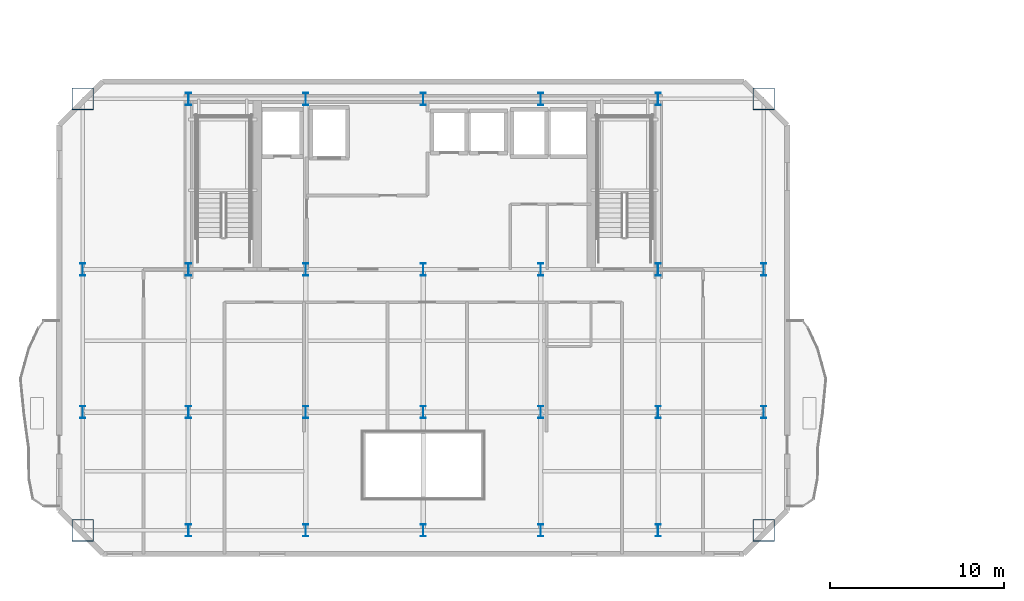
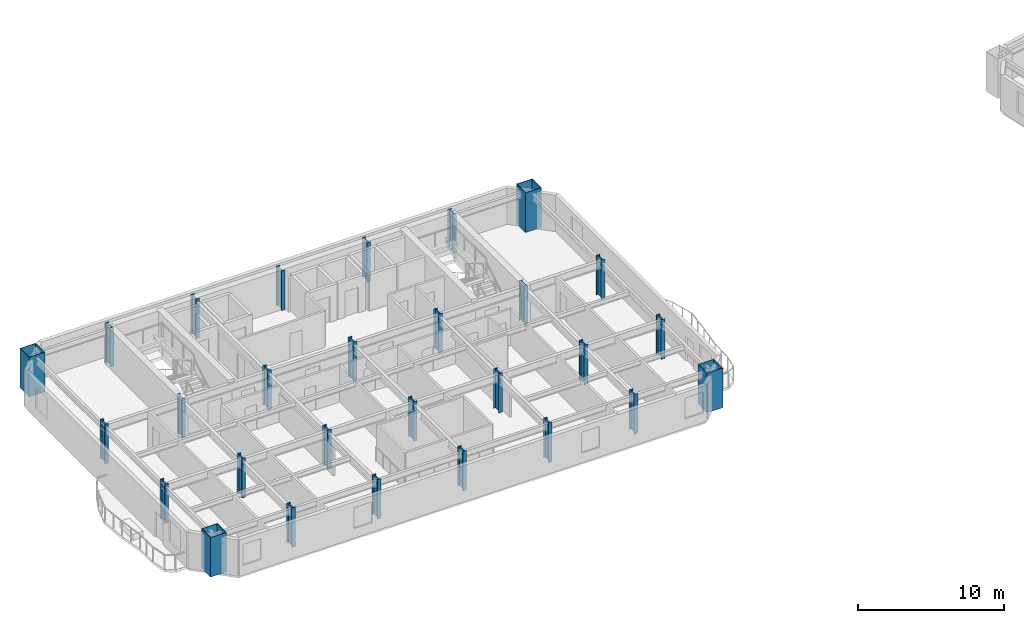
# One storey, part 1 of 13: 28 columns.
"""IFC4 building model written with IfcOpenShell, lengths in metres."""

from ifc_helpers import new_model, si_unit, direction, frame, origin, origin_2d, place, context, subcontext, project, spatial, hollow_rectangle, i_section, extrude, material, material_profile, profile_set, type_object, element, save


model = new_model("IFC4")

# Units and contexts
model_context = context("Model", 3, precision=1e-05, world=origin(), true_north=direction((0.0, 1.0)))
body_context = subcontext(model_context, "Body", "Model", "MODEL_VIEW")
ifc_project = project(units=[si_unit("LENGTHUNIT", "METRE"), si_unit("AREAUNIT", "SQUARE_METRE"), si_unit("VOLUMEUNIT", "CUBIC_METRE"), si_unit("PLANEANGLEUNIT", "RADIAN"), si_unit("MASSUNIT", "GRAM", prefix="KILO")], contexts=[model_context])

# Site, building, storey
site_placement = place(None, origin())
site = spatial("IfcSite", under=ifc_project, at=site_placement, CompositionType="ELEMENT")
building_placement = place(site_placement, origin())
building = spatial("IfcBuilding", under=site, at=building_placement, Name="Haevon Station Towers", CompositionType="ELEMENT")
storey_placement = place(building_placement, frame((0.0, 0.0, 162.60009765625)))
storey = spatial("IfcBuildingStorey", under=building, at=storey_placement, Name="L44", CompositionType="ELEMENT", Elevation=162.60009765625)

# Columns
ifc_material_1 = material(Name="Steel S460", Category="steel")
ifc_material_profile_1 = material_profile(ifc_material_1, hollow_rectangle(XDim=1.25, YDim=1.25, WallThickness=0.034912109375, at=origin_2d()), Name="BOX-1250x1250x35")
ifc_profile_set_1 = profile_set([ifc_material_profile_1], Name="Steel S460")
column_type_1 = type_object("IfcColumnType", Name="COL-MC4", PredefinedType="COLUMN", material=ifc_profile_set_1)
for number, where, z_axis, x_axis, name in (
    (1, (17.925048828125, 23.199951171875, 0.0), (0.0, 0.0, 1.0), (1.0, 0.0, 0.0), "COL-T1-L44-01-01"),
    (2, (17.925048828125, 48.0, 0.0), (0.0, 0.0, 1.0), (1.0, 0.0, 0.0), "COL-T1-L44-01-04"),
    (3, (57.074951171875, 23.199951171875, 0.0), (0.0, 0.0, 1.0), (1.0, 0.0, 0.0), "COL-T1-L44-07-01"),
    (4, (57.074951171875, 48.0, 0.0), (0.0, 0.0, 1.0), (1.0, 0.0, 0.0), "COL-T1-L44-07-04"),
):
    element("IfcColumn", number, at=place(storey_placement, frame(where, z_axis=z_axis, x_axis=x_axis)), inside=storey, type_object=column_type_1, Name=name, PredefinedType="COLUMN", context=body_context, shape_type="SweptSolid", body=[
        extrude(hollow_rectangle(XDim=1.25, YDim=1.25, WallThickness=0.034912109375, at=origin_2d()), origin(), (0.0, 0.0, 1.0), 3.2998046875),
    ])
ifc_material_2 = material(Name="Steel S355", Category="steel")
ifc_material_profile_2 = material_profile(ifc_material_2, i_section(OverallWidth=0.300048828125, OverallDepth=0.699951171875, WebThickness=0.01611328125, FlangeThickness=0.028076171875, at=origin_2d()), Name="H-700x300x16x28")
ifc_profile_set_2 = profile_set([ifc_material_profile_2], Name="Steel S355")
column_type_2 = type_object("IfcColumnType", Name="COL-TW3", PredefinedType="COLUMN", material=ifc_profile_set_2)
for number, where, z_axis, x_axis, name in (
    (5, (17.925048828125, 30.0, 0.0), (0.0, 0.0, 1.0), (1.0, 0.0, 0.0), "COL-T1-L44-01-02"),
    (6, (17.925048828125, 38.199951171875, 0.0), (0.0, 0.0, 1.0), (1.0, 0.0, 0.0), "COL-T1-L44-01-03"),
    (7, (24.0, 23.199951171875, 0.0), (0.0, 0.0, 1.0), (1.0, 0.0, 0.0), "COL-T1-L44-02-01"),
    (8, (24.0, 30.0, 0.0), (0.0, 0.0, 1.0), (1.0, 0.0, 0.0), "COL-T1-L44-02-02"),
    (9, (24.0, 38.199951171875, 0.0), (0.0, 0.0, 1.0), (1.0, 0.0, 0.0), "COL-T1-L44-02-03"),
    (10, (24.0, 48.0, 0.0), (0.0, 0.0, 1.0), (1.0, 0.0, 0.0), "COL-T1-L44-02-04"),
    (11, (30.75, 23.199951171875, 0.0), (0.0, 0.0, 1.0), (1.0, 0.0, 0.0), "COL-T1-L44-03-01"),
    (12, (30.75, 30.0, 0.0), (0.0, 0.0, 1.0), (1.0, 0.0, 0.0), "COL-T1-L44-03-02"),
    (13, (30.75, 38.199951171875, 0.0), (0.0, 0.0, 1.0), (1.0, 0.0, 0.0), "COL-T1-L44-03-03"),
    (14, (30.75, 48.0, 0.0), (0.0, 0.0, 1.0), (1.0, 0.0, 0.0), "COL-T1-L44-03-04"),
    (15, (37.5, 23.199951171875, 0.0), (0.0, 0.0, 1.0), (1.0, 0.0, 0.0), "COL-T1-L44-04-01"),
    (16, (37.5, 30.0, 0.0), (0.0, 0.0, 1.0), (1.0, 0.0, 0.0), "COL-T1-L44-04-02"),
    (17, (37.5, 38.199951171875, 0.0), (0.0, 0.0, 1.0), (1.0, 0.0, 0.0), "COL-T1-L44-04-03"),
    (18, (37.5, 48.0, 0.0), (0.0, 0.0, 1.0), (1.0, 0.0, 0.0), "COL-T1-L44-04-04"),
    (19, (44.25, 23.199951171875, 0.0), (0.0, 0.0, 1.0), (1.0, 0.0, 0.0), "COL-T1-L44-05-01"),
    (20, (44.25, 30.0, 0.0), (0.0, 0.0, 1.0), (1.0, 0.0, 0.0), "COL-T1-L44-05-02"),
    (21, (44.25, 38.199951171875, 0.0), (0.0, 0.0, 1.0), (1.0, 0.0, 0.0), "COL-T1-L44-05-03"),
    (22, (44.25, 48.0, 0.0), (0.0, 0.0, 1.0), (1.0, 0.0, 0.0), "COL-T1-L44-05-04"),
    (23, (51.0, 23.199951171875, 0.0), (0.0, 0.0, 1.0), (1.0, 0.0, 0.0), "COL-T1-L44-06-01"),
    (24, (51.0, 30.0, 0.0), (0.0, 0.0, 1.0), (1.0, 0.0, 0.0), "COL-T1-L44-06-02"),
    (25, (51.0, 38.199951171875, 0.0), (0.0, 0.0, 1.0), (1.0, 0.0, 0.0), "COL-T1-L44-06-03"),
    (26, (51.0, 48.0, 0.0), (0.0, 0.0, 1.0), (1.0, 0.0, 0.0), "COL-T1-L44-06-04"),
    (27, (57.074951171875, 30.0, 0.0), (0.0, 0.0, 1.0), (1.0, 0.0, 0.0), "COL-T1-L44-07-02"),
    (28, (57.074951171875, 38.199951171875, 0.0), (0.0, 0.0, 1.0), (1.0, 0.0, 0.0), "COL-T1-L44-07-03"),
):
    element("IfcColumn", number, at=place(storey_placement, frame(where, z_axis=z_axis, x_axis=x_axis)), inside=storey, type_object=column_type_2, Name=name, PredefinedType="COLUMN", context=body_context, shape_type="SweptSolid", body=[
        extrude(i_section(OverallWidth=0.300048828125, OverallDepth=0.699951171875, WebThickness=0.01611328125, FlangeThickness=0.028076171875, at=origin_2d()), origin(), (0.0, 0.0, 1.0), 3.2998046875),
    ])

save(model, "model.ifc")
